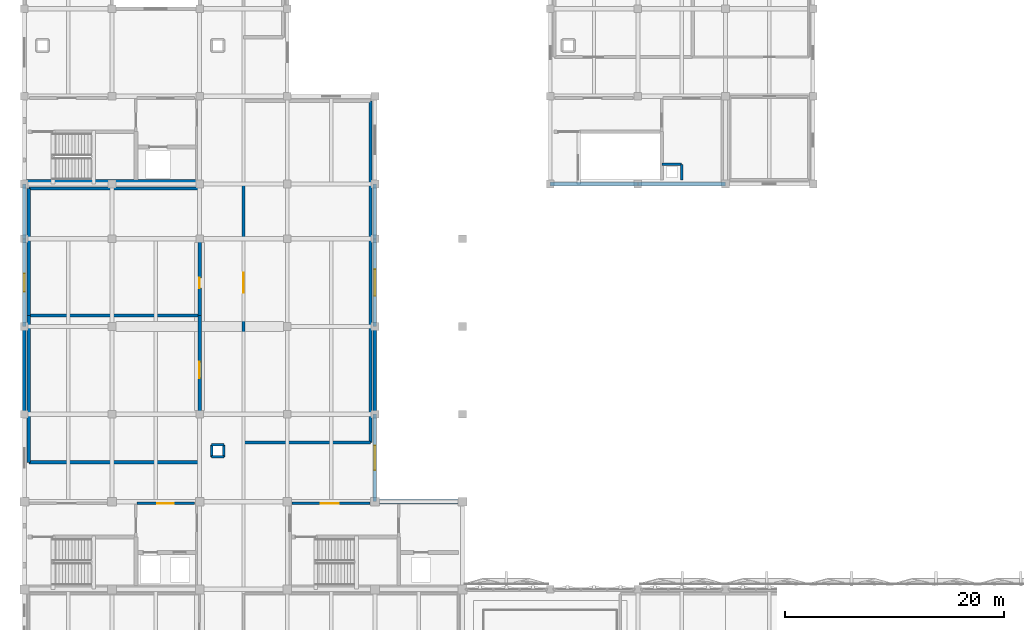
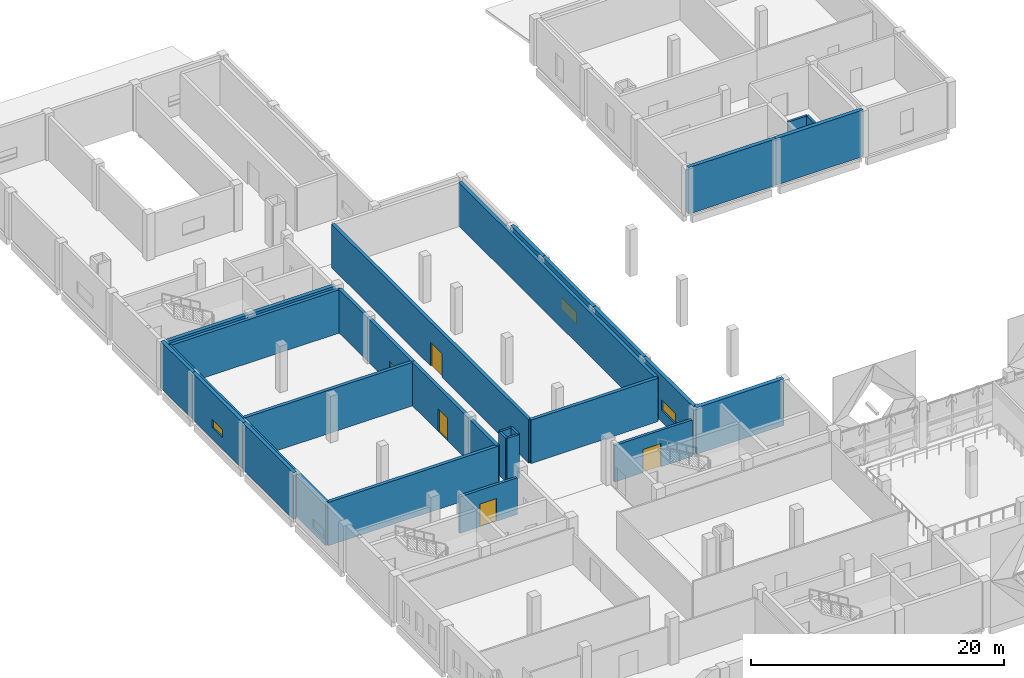
# One storey, part 23 of 37: 29 walls, 5 doors, 3 windows, 8 openings.
"""IFC4 building model written with IfcOpenShell, lengths in metres."""

from ifc_helpers import new_model, si_unit, direction, frame, frame_2d, origin, place, context, subcontext, project, spatial, rectangle, extrude, material, layer, layer_set, type_object, element, fill, save


model = new_model("IFC4")

# Units and contexts
model_context = context("Model", 3, precision=1e-05, world=origin(), true_north=direction((0.0, 1.0)))
body_context = subcontext(model_context, "Body", "Model", "MODEL_VIEW")
ifc_project = project(units=[si_unit("LENGTHUNIT", "METRE"), si_unit("AREAUNIT", "SQUARE_METRE"), si_unit("VOLUMEUNIT", "CUBIC_METRE"), si_unit("PLANEANGLEUNIT", "RADIAN"), si_unit("MASSUNIT", "GRAM", prefix="KILO")], contexts=[model_context])

# Site, building, storey
site_placement = place(None, origin())
site = spatial("IfcSite", under=ifc_project, at=site_placement, CompositionType="ELEMENT")
building_placement = place(site_placement, origin())
building = spatial("IfcBuilding", under=site, at=building_placement, Name="Qorikala Patio Media Centre", CompositionType="ELEMENT")
storey_placement = place(building_placement, frame((0.0, 0.0, 14.39990234375)))
storey = spatial("IfcBuildingStorey", under=building, at=storey_placement, Name="L03", CompositionType="ELEMENT", Elevation=14.39990234375)

# Wall
ifc_material_1 = material(Name="Concrete C35/45", Category="concrete")
ifc_layer_1 = layer(ifc_material_1, 0.300048828125)
ifc_layer_set_1 = layer_set([ifc_layer_1], Name="Concrete C35/45")
wall_type_1 = type_object("IfcWallType", Name="WL-AC-300", PredefinedType="SHEAR", material=ifc_layer_set_1)
wall_1_placement = place(storey_placement, frame((3.39990234375, 38.60009765625, 0.0), z_axis=(0.0, 0.0, 1.0), x_axis=(1.0, 0.0, 0.0)))
element("IfcWall", 1, at=wall_1_placement, inside=storey, type_object=wall_type_1, Name="L03 Interior Wall WINT-L03-UTR3-S", PredefinedType="SHEAR", context=body_context, shape_type="SweptSolid", body=[
    extrude(rectangle(XDim=15.60009765625, YDim=0.300048828125, at=frame_2d((7.800048828125, 0.0))), origin(), (0.0, 0.0, 1.0), 4.2001953125),
])

# Wall, opening, door
wall_2_placement = place(storey_placement, frame((19.0, 38.60009765625, 0.0), z_axis=(0.0, 0.0, 1.0), x_axis=(0.0, 1.0, 0.0)))
wall_2 = element("IfcWall", 2, at=wall_2_placement, inside=storey, type_object=wall_type_1, Name="L03 Interior Wall WINT-L03-UTR3-E", PredefinedType="SHEAR", context=body_context, shape_type="SweptSolid", body=[
    extrude(rectangle(XDim=13.39990234375, YDim=0.300048828125, at=frame_2d((6.699951171875, 0.0))), origin(), (0.0, 0.0, 1.0), 4.2001953125),
])
opening_1_placement = place(wall_2_placement, frame((7.674072265625, 0.0, 0.0)))
opening_1 = element("IfcOpeningElement", 3, at=opening_1_placement, cuts=wall_2, Name="Opening D294", PredefinedType="OPENING", context=body_context, shape_type="SweptSolid", body=[
    extrude(rectangle(XDim=1.5, YDim=2.199951171875, at=frame_2d((0.75, 1.10009765625))), frame((0.0, 0.159912109375, 0.0), z_axis=(0.0, -1.0, 0.0), x_axis=(1.0, 0.0, 0.0)), (0.0, 0.0, 1.0), 0.320068359375),
])
ifc_material_2 = material(Name="Powder-Coated Acoustic Fire Steel", Category="steel")
door_type_1 = type_object("IfcDoorType", Name="DR-FD60-150X220", OperationType="DOUBLE_DOOR_SINGLE_SWING", PredefinedType="DOOR", material=ifc_material_2)
door_1_placement = place(opening_1_placement, origin())
door_1 = element("IfcDoor", 4, at=door_1_placement, inside=storey, type_object=door_type_1, Name="Screen 3 Upper Seating Tier Door 083", OperationType="DOUBLE_DOOR_SINGLE_SWING", OverallHeight=2.199951171875, OverallWidth=1.5, PredefinedType="DOOR", context=body_context, shape_type="SweptSolid", body=[
    extrude(rectangle(XDim=1.5, YDim=2.199951171875, at=frame_2d((0.75, 1.10009765625))), frame((0.0, 0.02490234375, 0.0), z_axis=(0.0, -1.0, 0.0), x_axis=(1.0, 0.0, 0.0)), (0.0, 0.0, 1.0), 0.050048828125),
])
fill(opening_1, door_1)

# Walls
wall_3_placement = place(storey_placement, frame((3.39990234375, 52.0, 0.0), z_axis=(0.0, 0.0, 1.0), x_axis=(1.0, 0.0, 0.0)))
element("IfcWall", 5, at=wall_3_placement, inside=storey, type_object=wall_type_1, Name="L03 Interior Wall WINT-L03-UTR3-N", PredefinedType="SHEAR", context=body_context, shape_type="SweptSolid", body=[
    extrude(rectangle(XDim=15.60009765625, YDim=0.300048828125, at=frame_2d((7.800048828125, 0.0))), origin(), (0.0, 0.0, 1.0), 4.2001953125),
])
wall_4_placement = place(storey_placement, frame((3.39990234375, 38.60009765625, 0.0), z_axis=(0.0, 0.0, 1.0), x_axis=(0.0, 1.0, 0.0)))
element("IfcWall", 6, at=wall_4_placement, inside=storey, type_object=wall_type_1, Name="L03 Interior Wall WINT-L03-UTR3-W", PredefinedType="SHEAR", context=body_context, shape_type="SweptSolid", body=[
    extrude(rectangle(XDim=13.39990234375, YDim=0.300048828125, at=frame_2d((6.699951171875, 0.0))), origin(), (0.0, 0.0, 1.0), 4.2001953125),
])

# Wall, opening, door
wall_5_placement = place(storey_placement, frame((19.0, 52.0, 0.0), z_axis=(0.0, 0.0, 1.0), x_axis=(0.0, 1.0, 0.0)))
wall_5 = element("IfcWall", 7, at=wall_5_placement, inside=storey, type_object=wall_type_1, Name="L03 Interior Wall WINT-L03-PRJ3-E", PredefinedType="SHEAR", context=body_context, shape_type="SweptSolid", body=[
    extrude(rectangle(XDim=11.60009765625, YDim=0.300048828125, at=frame_2d((5.800048828125, 0.0))), origin(), (0.0, 0.0, 1.0), 4.2001953125),
])
opening_2_placement = place(wall_5_placement, frame((2.4951171875, 0.0, 0.0)))
opening_2 = element("IfcOpeningElement", 8, at=opening_2_placement, cuts=wall_5, Name="Opening D295", PredefinedType="OPENING", context=body_context, shape_type="SweptSolid", body=[
    extrude(rectangle(XDim=0.949951171875, YDim=2.10009765625, at=frame_2d((0.47509765625, 1.050048828125))), frame((0.0, 0.159912109375, 0.0), z_axis=(0.0, -1.0, 0.0), x_axis=(1.0, 0.0, 0.0)), (0.0, 0.0, 1.0), 0.320068359375),
])
ifc_material_3 = material(Name="Acoustic Fire Timber", Category="wood")
door_type_2 = type_object("IfcDoorType", Name="DR-FD60-095X210", OperationType="NOTDEFINED", PredefinedType="DOOR", material=ifc_material_3)
door_2_placement = place(opening_2_placement, origin())
door_2 = element("IfcDoor", 9, at=door_2_placement, inside=storey, type_object=door_type_2, Name="Cinema 3 and 4 Projection Booth Door 084", OperationType="SINGLE_SWING_LEFT", OverallHeight=2.10009765625, OverallWidth=0.949951171875, PredefinedType="DOOR", context=body_context, shape_type="SweptSolid", body=[
    extrude(rectangle(XDim=0.949951171875, YDim=2.10009765625, at=frame_2d((0.47509765625, 1.050048828125))), frame((0.0, 0.02490234375, 0.0), z_axis=(0.0, -1.0, 0.0), x_axis=(1.0, 0.0, 0.0)), (0.0, 0.0, 1.0), 0.050048828125),
])
fill(opening_2, door_2)

# Walls
wall_6_placement = place(storey_placement, frame((3.39990234375, 63.60009765625, 0.0), z_axis=(0.0, 0.0, 1.0), x_axis=(1.0, 0.0, 0.0)))
element("IfcWall", 10, at=wall_6_placement, inside=storey, type_object=wall_type_1, Name="L03 Interior Wall WINT-L03-PRJ3-N", PredefinedType="SHEAR", context=body_context, shape_type="SweptSolid", body=[
    extrude(rectangle(XDim=15.60009765625, YDim=0.300048828125, at=frame_2d((7.800048828125, 0.0))), origin(), (0.0, 0.0, 1.0), 4.2001953125),
])
for number, where, z_axis, x_axis, name in (
    (11, (3.39990234375, 52.0, 0.0), (0.0, 0.0, 1.0), (0.0, 1.0, 0.0), "L03 Interior Wall WINT-L03-PRJ3-W"),
    (12, (23.0, 40.39990234375, 0.0), (0.0, 0.0, 1.0), (1.0, 0.0, 0.0), "L03 Interior Wall WINT-L03-UTR4-S"),
):
    element("IfcWall", number, at=place(storey_placement, frame(where, z_axis=z_axis, x_axis=x_axis)), inside=storey, type_object=wall_type_1, Name=name, PredefinedType="SHEAR", context=body_context, shape_type="SweptSolid", body=[
        extrude(rectangle(XDim=11.60009765625, YDim=0.300048828125, at=frame_2d((5.800048828125, 0.0))), origin(), (0.0, 0.0, 1.0), 4.2001953125),
    ])
wall_7_placement = place(storey_placement, frame((34.60009765625, 40.39990234375, 0.0), z_axis=(0.0, 0.0, 1.0), x_axis=(0.0, 1.0, 0.0)))
element("IfcWall", 13, at=wall_7_placement, inside=storey, type_object=wall_type_1, Name="L03 Interior Wall WINT-L03-UTR4-E", PredefinedType="SHEAR", context=body_context, shape_type="SweptSolid", body=[
    extrude(rectangle(XDim=31.2001953125, YDim=0.300048828125, at=frame_2d((15.60009765625, 0.0))), origin(), (0.0, 0.0, 1.0), 4.2001953125),
])

# Wall, opening, door
wall_8_placement = place(storey_placement, frame((23.0, 40.39990234375, 0.0), z_axis=(0.0, 0.0, 1.0), x_axis=(0.0, 1.0, 0.0)))
wall_8 = element("IfcWall", 14, at=wall_8_placement, inside=storey, type_object=wall_type_1, Name="L03 Interior Wall WINT-L03-UTR4-W", PredefinedType="SHEAR", context=body_context, shape_type="SweptSolid", body=[
    extrude(rectangle(XDim=31.2001953125, YDim=0.300048828125, at=frame_2d((15.60009765625, 0.0))), origin(), (0.0, 0.0, 1.0), 4.2001953125),
])
opening_3_placement = place(wall_8_placement, frame((13.695068359375, 0.0, 0.0)))
opening_3 = element("IfcOpeningElement", 15, at=opening_3_placement, cuts=wall_8, Name="Opening D296", PredefinedType="OPENING", context=body_context, shape_type="SweptSolid", body=[
    extrude(rectangle(XDim=1.800048828125, YDim=2.300048828125, at=frame_2d((0.89990234375, 1.14990234375))), frame((0.0, 0.159912109375, 0.0), z_axis=(0.0, -1.0, 0.0), x_axis=(1.0, 0.0, 0.0)), (0.0, 0.0, 1.0), 0.320068359375),
])
door_type_3 = type_object("IfcDoorType", Name="DR-FD90-180X230", OperationType="DOUBLE_DOOR_SINGLE_SWING", PredefinedType="DOOR", material=ifc_material_2)
door_3_placement = place(opening_3_placement, origin())
door_3 = element("IfcDoor", 16, at=door_3_placement, inside=storey, type_object=door_type_3, Name="Screen 4 Upper Seating Tier Door 085", OperationType="DOUBLE_DOOR_SINGLE_SWING", OverallHeight=2.300048828125, OverallWidth=1.800048828125, PredefinedType="DOOR", context=body_context, shape_type="SweptSolid", body=[
    extrude(rectangle(XDim=1.800048828125, YDim=2.300048828125, at=frame_2d((0.89990234375, 1.14990234375))), frame((0.0, 0.02490234375, 0.0), z_axis=(0.0, -1.0, 0.0), x_axis=(1.0, 0.0, 0.0)), (0.0, 0.0, 1.0), 0.050048828125),
])
fill(opening_3, door_3)

# Walls
ifc_layer_2 = layer(ifc_material_1, 0.35009765625)
ifc_layer_set_2 = layer_set([ifc_layer_2], Name="Concrete C35/45")
wall_type_2 = type_object("IfcWallType", Name="WL-CORE-350", PredefinedType="SHEAR", material=ifc_layer_set_2)
for number, where, z_axis, x_axis, name in (
    (17, (67.0, 64.0, 0.0), (0.0, 0.0, 1.0), (-1.0, 0.0, 0.0), "L03 Core C6 Exterior Shear Wall"),
    (18, (59.0, 64.0, 0.0), (0.0, 0.0, 1.0), (-1.0, 0.0, 0.0), "L03 Core C6 Exterior Shear Wall"),
):
    element("IfcWall", number, at=place(storey_placement, frame(where, z_axis=z_axis, x_axis=x_axis)), inside=storey, type_object=wall_type_2, Name=name, PredefinedType="SHEAR", context=body_context, shape_type="SweptSolid", body=[
        extrude(rectangle(XDim=8.0, YDim=0.35009765625, at=frame_2d((4.0, 0.0))), origin(), (0.0, 0.0, 1.0), 4.5),
    ])
wall_9_placement = place(storey_placement, frame((3.199951171875, 64.22509765625, 0.0), z_axis=(0.0, 0.0, 1.0), x_axis=(1.0, 0.0, 0.0)))
element("IfcWall", 19, at=wall_9_placement, inside=storey, type_object=wall_type_2, Name="L03 Core C3 Stair South Wall", PredefinedType="SHEAR", context=body_context, shape_type="SweptSolid", body=[
    extrude(rectangle(XDim=15.60009765625, YDim=0.35009765625, at=frame_2d((7.800048828125, 0.0))), origin(), (0.0, 0.0, 1.0), 4.2001953125),
])
ifc_material_4 = material(Name="Ivory Lime Stucco and Concrete C35/45", Category="concrete")
ifc_layer_3 = layer(ifc_material_4, 0.320068359375)
ifc_layer_set_3 = layer_set([ifc_layer_3], Name="Ivory Lime Stucco and Concrete C35/45")
wall_type_3 = type_object("IfcWallType", Name="WL-EXT-320", PredefinedType="SOLIDWALL", material=ifc_layer_set_3)
wall_10_placement = place(storey_placement, frame((3.0, 43.0, 0.0), z_axis=(0.0, 0.0, 1.0), x_axis=(0.0, 1.0, 0.0)))
element("IfcWall", 20, at=wall_10_placement, inside=storey, type_object=wall_type_3, Name="L03 Exterior Wall WL-L03-EXT-0014", PredefinedType="SOLIDWALL", context=body_context, shape_type="SweptSolid", body=[
    extrude(rectangle(XDim=8.0, YDim=0.320068359375, at=frame_2d((4.0, 0.0))), origin(), (0.0, 0.0, 1.0), 4.5),
])

# Wall, opening, window
wall_11_placement = place(storey_placement, frame((3.0, 51.0, 0.0), z_axis=(0.0, 0.0, 1.0), x_axis=(0.0, 1.0, 0.0)))
wall_11 = element("IfcWall", 21, at=wall_11_placement, inside=storey, type_object=wall_type_3, Name="L03 Exterior Wall WL-L03-EXT-0015", PredefinedType="SOLIDWALL", context=body_context, shape_type="SweptSolid", body=[
    extrude(rectangle(XDim=8.0, YDim=0.320068359375, at=frame_2d((4.0, 0.0))), origin(), (0.0, 0.0, 1.0), 4.5),
])
opening_4_placement = place(wall_11_placement, frame((3.175048828125, 0.0, 1.10009765625)))
opening_4 = element("IfcOpeningElement", 22, at=opening_4_placement, cuts=wall_11, Name="Opening WL-165", PredefinedType="OPENING", context=body_context, shape_type="SweptSolid", body=[
    extrude(rectangle(XDim=1.64990234375, YDim=0.800048828125, at=frame_2d((0.824951171875, 0.39990234375))), frame((0.0, 0.169921875, 0.0), z_axis=(0.0, -1.0, 0.0), x_axis=(1.0, 0.0, 0.0)), (0.0, 0.0, 1.0), 0.340087890625),
])
ifc_material_5 = material(Name="Acoustic Laminated Low-E Glass", Category="glass")
window_type_1 = type_object("IfcWindowType", Name="WN-CL-165X080", PartitioningType="SINGLE_PANEL", PredefinedType="WINDOW", material=ifc_material_5)
window_1_placement = place(opening_4_placement, origin())
window_1 = element("IfcWindow", 23, at=window_1_placement, inside=storey, type_object=window_type_1, Name="L03 High Acoustic Clerestory Window 0196", OverallHeight=0.800048828125, OverallWidth=1.64990234375, PartitioningType="SINGLE_PANEL", PredefinedType="WINDOW", context=body_context, shape_type="SweptSolid", body=[
    extrude(rectangle(XDim=1.64990234375, YDim=0.800048828125, at=frame_2d((0.824951171875, 0.39990234375))), frame((0.0, 0.030029296875, 0.0), z_axis=(0.0, -1.0, 0.0), x_axis=(1.0, 0.0, 0.0)), (0.0, 0.0, 1.0), 0.06005859375),
])
fill(opening_4, window_1)

# Walls
for number, where, z_axis, x_axis, name in (
    (24, (3.0, 59.0, 0.0), (0.0, 0.0, 1.0), (0.0, 1.0, 0.0), "L03 Exterior Wall WL-L03-EXT-0016"),
    (25, (35.0, 64.0, 0.0), (0.0, 0.0, 1.0), (0.0, -1.0, 0.0), "L03 Exterior Wall WL-L03-EXT-0029"),
):
    element("IfcWall", number, at=place(storey_placement, frame(where, z_axis=z_axis, x_axis=x_axis)), inside=storey, type_object=wall_type_3, Name=name, PredefinedType="SOLIDWALL", context=body_context, shape_type="SweptSolid", body=[
        extrude(rectangle(XDim=5.0, YDim=0.320068359375, at=frame_2d((2.5, 0.0))), origin(), (0.0, 0.0, 1.0), 4.5),
    ])

# Wall, opening, window
wall_12_placement = place(storey_placement, frame((35.0, 59.0, 0.0), z_axis=(0.0, 0.0, 1.0), x_axis=(0.0, -1.0, 0.0)))
wall_12 = element("IfcWall", 26, at=wall_12_placement, inside=storey, type_object=wall_type_3, Name="L03 Exterior Wall WL-L03-EXT-0030", PredefinedType="SOLIDWALL", context=body_context, shape_type="SweptSolid", body=[
    extrude(rectangle(XDim=8.0, YDim=0.320068359375, at=frame_2d((4.0, 0.0))), origin(), (0.0, 0.0, 1.0), 4.5),
])
opening_5_placement = place(wall_12_placement, frame((2.800048828125, 0.0, 1.10009765625)))
opening_5 = element("IfcOpeningElement", 27, at=opening_5_placement, cuts=wall_12, Name="Opening WL-240", PredefinedType="OPENING", context=body_context, shape_type="SweptSolid", body=[
    extrude(rectangle(XDim=2.39990234375, YDim=1.10009765625, at=frame_2d((1.199951171875, 0.550048828125))), frame((0.0, 0.169921875, 0.0), z_axis=(0.0, -1.0, 0.0), x_axis=(1.0, 0.0, 0.0)), (0.0, 0.0, 1.0), 0.340087890625),
])
window_type_2 = type_object("IfcWindowType", Name="WN-CL-240X110", PartitioningType="SINGLE_PANEL", PredefinedType="WINDOW", material=ifc_material_5)
window_2_placement = place(opening_5_placement, origin())
window_2 = element("IfcWindow", 28, at=window_2_placement, inside=storey, type_object=window_type_2, Name="L03 High Acoustic Clerestory Window 0205", OverallHeight=1.10009765625, OverallWidth=2.39990234375, PartitioningType="SINGLE_PANEL", PredefinedType="WINDOW", context=body_context, shape_type="SweptSolid", body=[
    extrude(rectangle(XDim=2.39990234375, YDim=1.10009765625, at=frame_2d((1.199951171875, 0.550048828125))), frame((0.0, 0.030029296875, 0.0), z_axis=(0.0, -1.0, 0.0), x_axis=(1.0, 0.0, 0.0)), (0.0, 0.0, 1.0), 0.06005859375),
])
fill(opening_5, window_2)

# Wall
wall_13_placement = place(storey_placement, frame((35.0, 51.0, 0.0), z_axis=(0.0, 0.0, 1.0), x_axis=(0.0, -1.0, 0.0)))
element("IfcWall", 29, at=wall_13_placement, inside=storey, type_object=wall_type_3, Name="L03 Exterior Wall WL-L03-EXT-0031", PredefinedType="SOLIDWALL", context=body_context, shape_type="SweptSolid", body=[
    extrude(rectangle(XDim=8.0, YDim=0.320068359375, at=frame_2d((4.0, 0.0))), origin(), (0.0, 0.0, 1.0), 4.5),
])

# Wall, opening, window
wall_14_placement = place(storey_placement, frame((35.0, 43.0, 0.0), z_axis=(0.0, 0.0, 1.0), x_axis=(0.0, -1.0, 0.0)))
wall_14 = element("IfcWall", 30, at=wall_14_placement, inside=storey, type_object=wall_type_3, Name="L03 Exterior Wall WL-L03-EXT-0032", PredefinedType="SOLIDWALL", context=body_context, shape_type="SweptSolid", body=[
    extrude(rectangle(XDim=8.0, YDim=0.320068359375, at=frame_2d((4.0, 0.0))), origin(), (0.0, 0.0, 1.0), 4.5),
])
opening_6_placement = place(wall_14_placement, frame((2.875, 0.0, 1.10009765625)))
opening_6 = element("IfcOpeningElement", 31, at=opening_6_placement, cuts=wall_14, Name="Opening WL-225", PredefinedType="OPENING", context=body_context, shape_type="SweptSolid", body=[
    extrude(rectangle(XDim=2.25, YDim=1.02001953125, at=frame_2d((1.125, 0.510009765625))), frame((0.0, 0.169921875, 0.0), z_axis=(0.0, -1.0, 0.0), x_axis=(1.0, 0.0, 0.0)), (0.0, 0.0, 1.0), 0.340087890625),
])
window_type_3 = type_object("IfcWindowType", Name="WN-CL-225X102", PartitioningType="SINGLE_PANEL", PredefinedType="WINDOW", material=ifc_material_5)
window_3_placement = place(opening_6_placement, origin())
window_3 = element("IfcWindow", 32, at=window_3_placement, inside=storey, type_object=window_type_3, Name="L03 High Acoustic Clerestory Window 0206", OverallHeight=1.02001953125, OverallWidth=2.25, PartitioningType="SINGLE_PANEL", PredefinedType="WINDOW", context=body_context, shape_type="SweptSolid", body=[
    extrude(rectangle(XDim=2.25, YDim=1.02001953125, at=frame_2d((1.125, 0.510009765625))), frame((0.0, 0.030029296875, 0.0), z_axis=(0.0, -1.0, 0.0), x_axis=(1.0, 0.0, 0.0)), (0.0, 0.0, 1.0), 0.06005859375),
])
fill(opening_6, window_3)

# Wall, opening, door
ifc_layer_4 = layer(ifc_material_1, 0.25)
ifc_layer_set_4 = layer_set([ifc_layer_4], Name="Concrete C35/45")
wall_type_4 = type_object("IfcWallType", Name="WL-FFL-250", PredefinedType="PARTITIONING", material=ifc_layer_set_4)
wall_15_placement = place(storey_placement, frame((13.300048828125, 34.85009765625, 0.0), z_axis=(0.0, 0.0, 1.0), x_axis=(1.0, 0.0, 0.0)))
wall_15 = element("IfcWall", 33, at=wall_15_placement, inside=storey, type_object=wall_type_4, Name="L03 Interior Wall CW-L03-C2-CN2", PredefinedType="PARTITIONING", context=body_context, shape_type="SweptSolid", body=[
    extrude(rectangle(XDim=5.25, YDim=0.25, at=frame_2d((2.625, 0.0))), origin(), (0.0, 0.0, 1.0), 3.53515625),
])
opening_7_placement = place(wall_15_placement, frame((1.85009765625, 0.0, 0.0)))
opening_7 = element("IfcOpeningElement", 34, at=opening_7_placement, cuts=wall_15, Name="Opening D078", PredefinedType="OPENING", context=body_context, shape_type="SweptSolid", body=[
    extrude(rectangle(XDim=1.5, YDim=2.199951171875, at=frame_2d((0.75, 1.10009765625))), frame((0.0, 0.135009765625, 0.0), z_axis=(0.0, -1.0, 0.0), x_axis=(1.0, 0.0, 0.0)), (0.0, 0.0, 1.0), 0.27001953125),
])
door_4_placement = place(opening_7_placement, origin())
door_4 = element("IfcDoor", 35, at=door_4_placement, inside=storey, type_object=door_type_1, Name="L03 Core C2 Firefighting Lobby Door", OperationType="DOUBLE_DOOR_SINGLE_SWING", OverallHeight=2.199951171875, OverallWidth=1.5, PredefinedType="DOOR", context=body_context, shape_type="SweptSolid", body=[
    extrude(rectangle(XDim=1.5, YDim=2.199951171875, at=frame_2d((0.75, 1.10009765625))), frame((0.0, 0.02490234375, 0.0), z_axis=(0.0, -1.0, 0.0), x_axis=(1.0, 0.0, 0.0)), (0.0, 0.0, 1.0), 0.050048828125),
])
fill(opening_7, door_4)

wall_16_placement = place(storey_placement, frame((27.449951171875, 34.85009765625, 0.0), z_axis=(0.0, 0.0, 1.0), x_axis=(1.0, 0.0, 0.0)))
wall_16 = element("IfcWall", 36, at=wall_16_placement, inside=storey, type_object=wall_type_4, Name="L03 Interior Wall CW-L03-C5-CN1", PredefinedType="PARTITIONING", context=body_context, shape_type="SweptSolid", body=[
    extrude(rectangle(XDim=7.10009765625, YDim=0.25, at=frame_2d((3.550048828125, 0.0))), origin(), (0.0, 0.0, 1.0), 3.53515625),
])
opening_8_placement = place(wall_16_placement, frame((2.60009765625, 0.0, 0.0)))
opening_8 = element("IfcOpeningElement", 37, at=opening_8_placement, cuts=wall_16, Name="Opening D161", PredefinedType="OPENING", context=body_context, shape_type="SweptSolid", body=[
    extrude(rectangle(XDim=1.64990234375, YDim=2.25, at=frame_2d((0.824951171875, 1.125))), frame((0.0, 0.135009765625, 0.0), z_axis=(0.0, -1.0, 0.0), x_axis=(1.0, 0.0, 0.0)), (0.0, 0.0, 1.0), 0.27001953125),
])
door_type_4 = type_object("IfcDoorType", Name="DR-FD60-165X225", OperationType="DOUBLE_DOOR_SINGLE_SWING", PredefinedType="DOOR", material=ifc_material_2)
door_5_placement = place(opening_8_placement, frame((1.64990234375, 0.0, 0.0), z_axis=(0.0, 0.0, 1.0), x_axis=(-1.0, 0.0, 0.0)))
door_5 = element("IfcDoor", 38, at=door_5_placement, inside=storey, type_object=door_type_4, Name="L03 Core C5 Vestibule Door", OperationType="DOUBLE_DOOR_SINGLE_SWING", OverallHeight=2.25, OverallWidth=1.64990234375, PredefinedType="DOOR", context=body_context, shape_type="SweptSolid", body=[
    extrude(rectangle(XDim=1.64990234375, YDim=2.25, at=frame_2d((0.824951171875, 1.125))), frame((0.0, 0.02490234375, 0.0), z_axis=(0.0, -1.0, 0.0), x_axis=(1.0, 0.0, 0.0)), (0.0, 0.0, 1.0), 0.050048828125),
])
fill(opening_8, door_5)

# Walls
ifc_material_6 = material(Name="Acoustic Masonry and Plaster Concrete C30/37", Category="masonry")
ifc_layer_5 = layer(ifc_material_6, 0.199951171875)
ifc_layer_set_5 = layer_set([ifc_layer_5], Name="Acoustic Masonry and Plaster Concrete C30/37")
wall_type_5 = type_object("IfcWallType", Name="WL-ST-200", PredefinedType="PARTITIONING", material=ifc_layer_set_5)
wall_17_placement = place(storey_placement, frame((61.199951171875, 65.800048828125, 0.0), z_axis=(0.0, 0.0, 1.0), x_axis=(1.0, 0.0, 0.0)))
element("IfcWall", 39, at=wall_17_placement, inside=storey, type_object=wall_type_5, Name="L03 Interior Wall CW-L03-C6-RSN", PredefinedType="PARTITIONING", context=body_context, shape_type="SweptSolid", body=[
    extrude(rectangle(XDim=1.800048828125, YDim=0.199951171875, at=frame_2d((0.89990234375, 0.0))), origin(), (0.0, 0.0, 1.0), 4.2001953125),
])
wall_18_placement = place(storey_placement, frame((63.0, 64.35009765625, 0.0), z_axis=(0.0, 0.0, 1.0), x_axis=(0.0, 1.0, 0.0)))
element("IfcWall", 40, at=wall_18_placement, inside=storey, type_object=wall_type_5, Name="L03 Interior Wall CW-L03-C6-RSE", PredefinedType="PARTITIONING", context=body_context, shape_type="SweptSolid", body=[
    extrude(rectangle(XDim=1.449951171875, YDim=0.199951171875, at=frame_2d((0.72509765625, 0.0))), origin(), (0.0, 0.0, 1.0), 4.2001953125),
])
for number, where, z_axis, x_axis, name in (
    (41, (20.10009765625, 39.10009765625, 0.0), (0.0, 0.0, 1.0), (1.0, 0.0, 0.0), "L03 Interior Wall RSW-3-L03-S"),
    (42, (20.10009765625, 40.199951171875, 0.0), (0.0, 0.0, 1.0), (1.0, 0.0, 0.0), "L03 Interior Wall RSW-3-L03-N"),
    (43, (20.10009765625, 39.10009765625, 0.0), (0.0, 0.0, 1.0), (0.0, 1.0, 0.0), "L03 Interior Wall RSW-3-L03-W"),
    (44, (21.199951171875, 39.10009765625, 0.0), (0.0, 0.0, 1.0), (0.0, 1.0, 0.0), "L03 Interior Wall RSW-3-L03-E"),
):
    element("IfcWall", number, at=place(storey_placement, frame(where, z_axis=z_axis, x_axis=x_axis)), inside=storey, type_object=wall_type_5, Name=name, PredefinedType="PARTITIONING", context=body_context, shape_type="SweptSolid", body=[
        extrude(rectangle(XDim=1.099853515625, YDim=0.199951171875, at=frame_2d((0.5498046875, 0.0))), origin(), (0.0, 0.0, 1.0), 4.2001953125),
    ])
ifc_material_7 = material(Name="Comanche Granite and Concrete C35/45", Category="masonry")
ifc_layer_6 = layer(ifc_material_7, 0.3798828125)
ifc_layer_set_6 = layer_set([ifc_layer_6], Name="Comanche Granite and Concrete C35/45")
wall_type_6 = type_object("IfcWallType", Name="WL-STONE-380", PredefinedType="SOLIDWALL", material=ifc_layer_set_6)
wall_19_placement = place(storey_placement, frame((35.0, 35.0, 0.0), z_axis=(0.0, 0.0, 1.0), x_axis=(1.0, 0.0, 0.0)))
element("IfcWall", 45, at=wall_19_placement, inside=storey, type_object=wall_type_6, Name="L03 Core C5 Exterior Shear Wall", PredefinedType="SOLIDWALL", context=body_context, shape_type="SweptSolid", body=[
    extrude(rectangle(XDim=8.0, YDim=0.3798828125, at=frame_2d((4.0, 0.0))), origin(), (0.0, 0.0, 1.0), 4.5),
])

save(model, "model.ifc")
